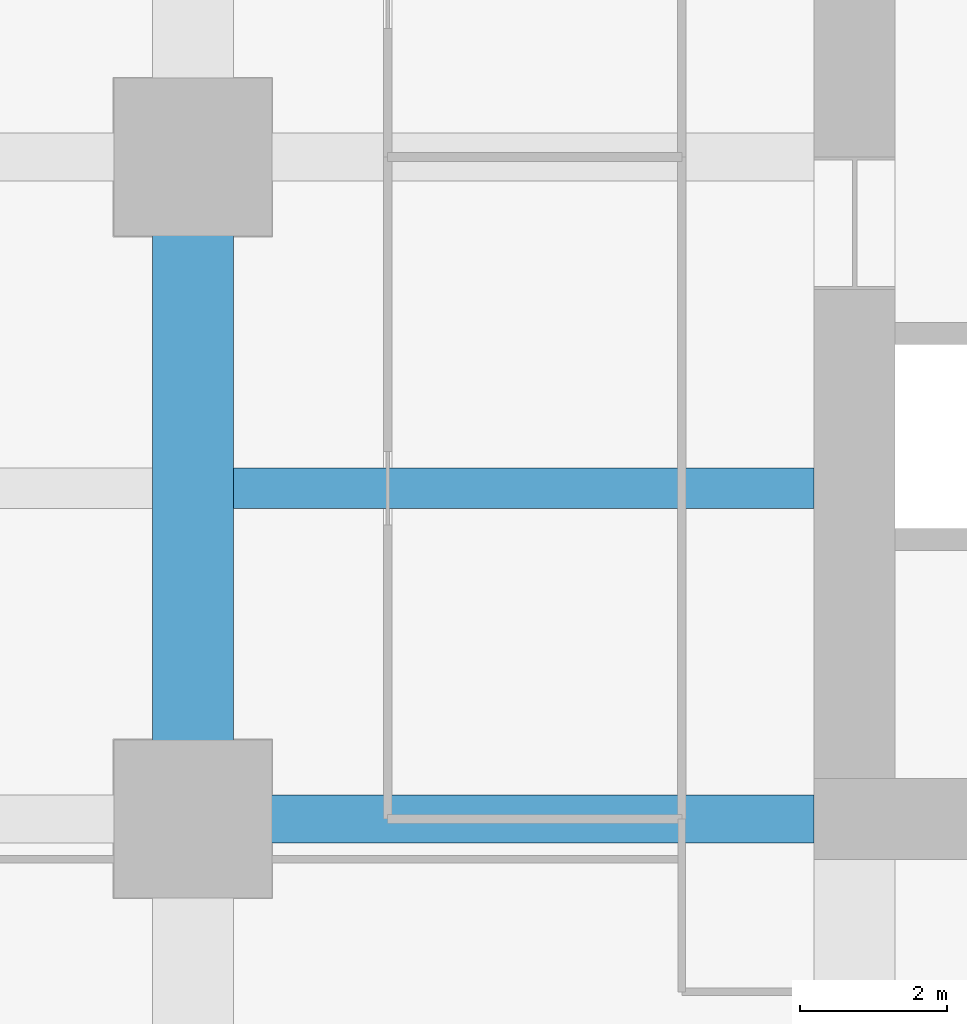
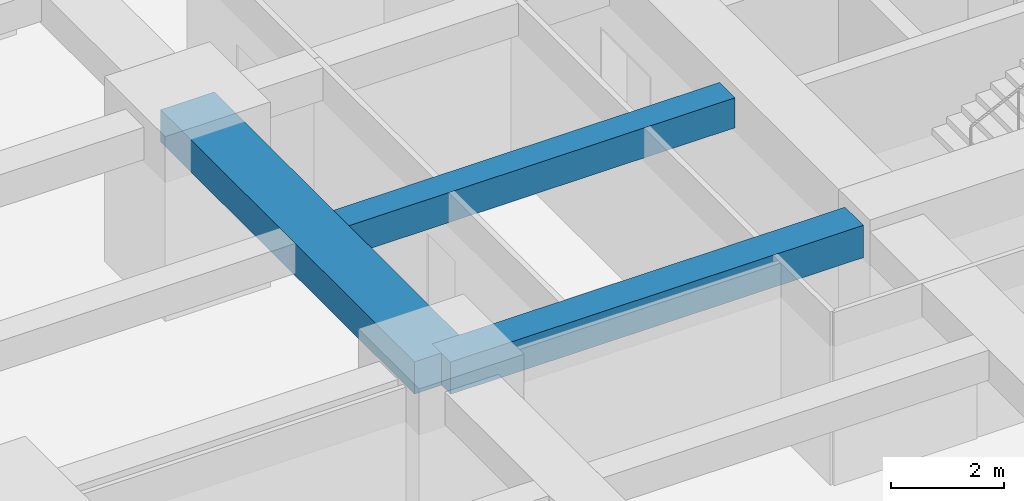
# One storey, part 10 of 44: 3 beams.
"""IFC4 building model written with IfcOpenShell, lengths in metres."""

from ifc_helpers import new_model, si_unit, direction, frame, origin, origin_2d, place, context, subcontext, project, spatial, rectangle, extrude, material, material_profile, profile_set, type_object, element, save


model = new_model("IFC4")

# Units and contexts
model_context = context("Model", 3, precision=1e-05, world=origin(), true_north=direction((0.0, 1.0)))
body_context = subcontext(model_context, "Body", "Model", "MODEL_VIEW")
ifc_project = project(units=[si_unit("LENGTHUNIT", "METRE"), si_unit("AREAUNIT", "SQUARE_METRE"), si_unit("VOLUMEUNIT", "CUBIC_METRE"), si_unit("PLANEANGLEUNIT", "RADIAN"), si_unit("MASSUNIT", "GRAM", prefix="KILO")], contexts=[model_context])

# Site, building, storey
site_placement = place(None, origin())
site = spatial("IfcSite", under=ifc_project, at=site_placement, CompositionType="ELEMENT")
building_placement = place(site_placement, origin())
building = spatial("IfcBuilding", under=site, at=building_placement, Name="Zorevar Civic Tower", CompositionType="ELEMENT")
storey_placement = place(building_placement, frame((0.0, 0.0, 51.800048828125)))
storey = spatial("IfcBuildingStorey", under=building, at=storey_placement, Name="L12", CompositionType="ELEMENT", Elevation=51.800048828125)

# Beams
ifc_material_1 = material(Name="Concrete C50/60", Category="concrete")
ifc_material_profile_1 = material_profile(ifc_material_1, rectangle(XDim=1.10009765625, YDim=0.699951171875, at=origin_2d()), Name="RC 1100x700")
ifc_profile_set_1 = profile_set([ifc_material_profile_1], Name="Concrete C50/60")
beam_type_1 = type_object("IfcBeamType", Name="Beam RC 1100x700", PredefinedType="BEAM", material=ifc_profile_set_1)
beam_1_placement = place(storey_placement, frame((9.0, 18.0, 3.39990234375), z_axis=(0.0, 1.0, 0.0), x_axis=(-1.0, 0.0, 0.0)))
element("IfcBeam", 1, at=beam_1_placement, inside=storey, type_object=beam_type_1, Name="Girder L13", PredefinedType="BEAM", context=body_context, shape_type="SweptSolid", body=[
    extrude(rectangle(XDim=1.10009765625, YDim=0.699951171875, at=origin_2d()), origin(), (0.0, 0.0, 1.0), 9.0),
])
ifc_material_2 = material(Name="Concrete C50/60", Category="concrete")
ifc_material_profile_2 = material_profile(ifc_material_2, rectangle(XDim=0.550048828125, YDim=0.64990234375, at=origin_2d()), Name="RC 550x650")
ifc_profile_set_2 = profile_set([ifc_material_profile_2], Name="Concrete C50/60")
beam_type_2 = type_object("IfcBeamType", Name="Beam RC 550x650", PredefinedType="BEAM", material=ifc_profile_set_2)
beam_2_placement = place(storey_placement, frame((9.550048828125, 22.5, 3.425048828125), z_axis=(1.0, 0.0, 0.0), x_axis=(0.0, 1.0, 0.0)))
element("IfcBeam", 2, at=beam_2_placement, inside=storey, type_object=beam_type_2, Name="Secondary beam L13", PredefinedType="BEAM", context=body_context, shape_type="SweptSolid", body=[
    extrude(rectangle(XDim=0.550048828125, YDim=0.64990234375, at=origin_2d()), origin(), (0.0, 0.0, 1.0), 7.89990234375),
])
ifc_material_3 = material(Name="Concrete C50/60", Category="concrete")
ifc_material_profile_3 = material_profile(ifc_material_3, rectangle(XDim=0.64990234375, YDim=0.699951171875, at=origin_2d()), Name="RC 650x700")
ifc_profile_set_3 = profile_set([ifc_material_profile_3], Name="Concrete C50/60")
beam_type_3 = type_object("IfcBeamType", Name="Beam RC 650x700", PredefinedType="BEAM", material=ifc_profile_set_3)
beam_3_placement = place(storey_placement, frame((9.0, 18.0, 3.39990234375), z_axis=(1.0, 0.0, 0.0), x_axis=(0.0, 1.0, 0.0)))
element("IfcBeam", 3, at=beam_3_placement, inside=storey, type_object=beam_type_3, Name="Girder L13", PredefinedType="BEAM", context=body_context, shape_type="SweptSolid", body=[
    extrude(rectangle(XDim=0.64990234375, YDim=0.699951171875, at=origin_2d()), origin(), (0.0, 0.0, 1.0), 8.449951171875),
])

save(model, "model.ifc")
